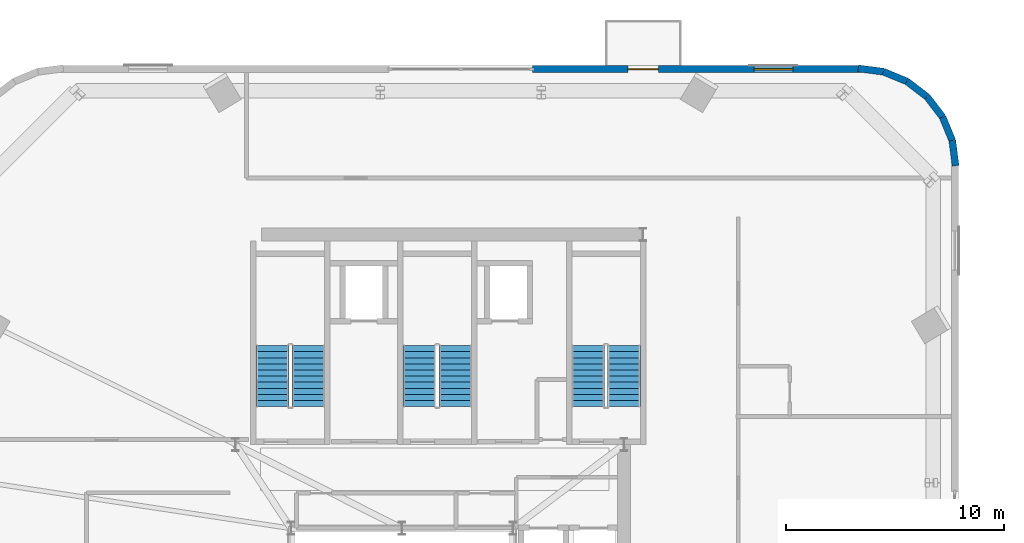
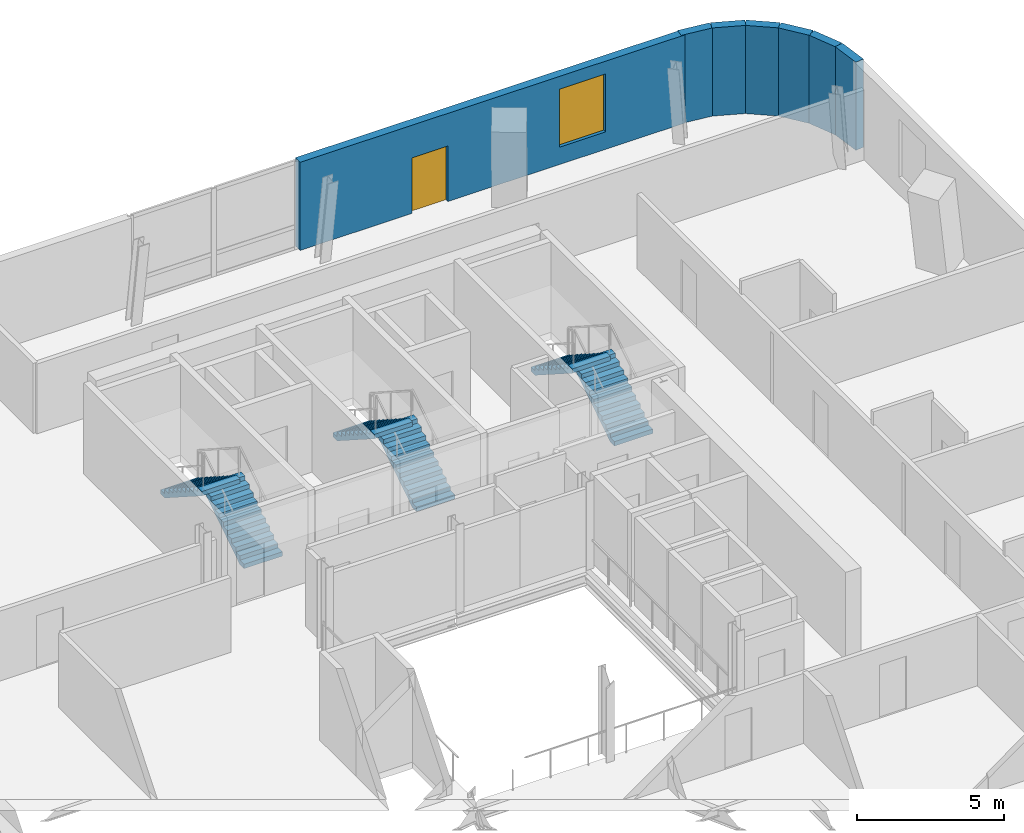
# One storey, part 11 of 15: 7 walls, 6 stair flights, 1 door, 1 window, 2 openings, 3 elements without a shape of their own.
"""IFC4 building model written with IfcOpenShell, lengths in metres."""

from ifc_helpers import new_model, si_unit, direction, frame, frame_2d, origin, place, context, subcontext, project, spatial, polyline, rectangle, outline, extrude, source, transform, mapped, material, layer, layer_set, type_object, element, fill, aggregate, save


model = new_model("IFC4")

# Units and contexts
model_context = context("Model", 3, precision=1e-05, world=origin(), true_north=direction((0.0, 1.0)))
body_context = subcontext(model_context, "Body", "Model", "MODEL_VIEW")
ifc_project = project(units=[si_unit("LENGTHUNIT", "METRE"), si_unit("AREAUNIT", "SQUARE_METRE"), si_unit("VOLUMEUNIT", "CUBIC_METRE"), si_unit("PLANEANGLEUNIT", "RADIAN"), si_unit("MASSUNIT", "GRAM", prefix="KILO")], contexts=[model_context])

# Site, building, storey
site_placement = place(None, origin())
site = spatial("IfcSite", under=ifc_project, at=site_placement, CompositionType="ELEMENT")
building_placement = place(site_placement, origin())
building = spatial("IfcBuilding", under=site, at=building_placement, Name="Vardaveli Station Tower", CompositionType="ELEMENT")
storey_placement = place(building_placement, frame((0.0, 0.0, 258.5)))
storey = spatial("IfcBuildingStorey", under=building, at=storey_placement, Name="L66", CompositionType="ELEMENT", Elevation=258.5)

# Walls
ifc_material_1 = material(Name="Precast concrete C45/55", Category="concrete")
ifc_layer = layer(ifc_material_1, 0.320068359375, Name="Precast concrete C45/55")
ifc_layer_set = layer_set([ifc_layer], Name="Precast concrete C45/55")
wall_type = type_object("IfcWallType", Name="WAL-EXT-STONE-320", PredefinedType="SOLIDWALL", material=ifc_layer_set)
shared_shape_1 = source(origin(), body_context, "Body", "SweptSolid", [
    extrude(rectangle(XDim=1.168701171875, YDim=0.320068359375, at=frame_2d((0.58447265625, 0.0))), origin(), (0.0, 0.0, 1.0), 3.64990234375),
])
for number, where, z_axis, x_axis, name in (
    (1, (61.1396484375, 45.701171875, 0.0), (0.0, 0.0, 1.0), (-0.60812449885, 0.793841668028, 0.0), "EW-L66-CR3-3"),
    (2, (60.428955078125, 46.62890625, 0.0), (0.0, 0.0, 1.0), (-0.793841668028, 0.60812449885, 0.0), "EW-L66-CR3-4"),
):
    element("IfcWall", number, at=place(storey_placement, frame(where, z_axis=z_axis, x_axis=x_axis)), inside=storey, type_object=wall_type, Name=name, PredefinedType="SOLIDWALL", context=body_context, shape_type="MappedRepresentation", body=[
        mapped(shared_shape_1, transform((0.0, 0.0, 0.0), scale=1.0)),
    ])
shared_shape_2 = source(origin(), body_context, "Body", "SweptSolid", [
    extrude(rectangle(XDim=1.170166015625, YDim=0.320068359375, at=frame_2d((0.5849609375, 0.0))), origin(), (0.0, 0.0, 1.0), 3.64990234375),
])
for number, where, z_axis, x_axis, name in (
    (3, (61.7353515625, 43.459716796875, 0.0), (0.0, 0.0, 1.0), (-0.128090485085, 0.991762485493, 0.0), "EW-L66-CR3-1"),
    (4, (58.42041015625, 47.785400390625, 0.0), (0.0, 0.0, 1.0), (-0.991762485493, 0.128090485085, 0.0), "EW-L66-CR3-6"),
):
    element("IfcWall", number, at=place(storey_placement, frame(where, z_axis=z_axis, x_axis=x_axis)), inside=storey, type_object=wall_type, Name=name, PredefinedType="SOLIDWALL", context=body_context, shape_type="MappedRepresentation", body=[
        mapped(shared_shape_2, transform((0.0, 0.0, 0.0), scale=1.0)),
    ])
shared_shape_3 = source(origin(), body_context, "Body", "SweptSolid", [
    extrude(rectangle(XDim=1.169189453125, YDim=0.320068359375, at=frame_2d((0.58447265625, 0.0))), origin(), (0.0, 0.0, 1.0), 3.64990234375),
])
for number, where, z_axis, x_axis, name in (
    (5, (61.58544921875, 44.620361328125, 0.0), (0.0, 0.0, 1.0), (-0.381306385215, 0.924448722534, 0.0), "EW-L66-CR3-2"),
    (6, (59.501220703125, 47.339599609375, 0.0), (0.0, 0.0, 1.0), (-0.924448722534, 0.381306385215, 0.0), "EW-L66-CR3-5"),
):
    element("IfcWall", number, at=place(storey_placement, frame(where, z_axis=z_axis, x_axis=x_axis)), inside=storey, type_object=wall_type, Name=name, PredefinedType="SOLIDWALL", context=body_context, shape_type="MappedRepresentation", body=[
        mapped(shared_shape_3, transform((0.0, 0.0, 0.0), scale=1.0)),
    ])

# Wall, openings, door, window
shared_shape_4 = source(origin(), body_context, "Body", "SweptSolid", [
    extrude(rectangle(XDim=15.06005859375, YDim=0.320068359375, at=frame_2d((7.530029296875, 0.0))), origin(), (0.0, 0.0, 1.0), 3.64990234375),
])
wall_placement = place(storey_placement, frame((57.360107421875, 47.89990234375, 0.0), z_axis=(0.0, 0.0, 1.0), x_axis=(-1.0, 0.0, 0.0)))
wall = element("IfcWall", 7, at=wall_placement, inside=storey, type_object=wall_type, Name="EW-L66-N1", PredefinedType="SOLIDWALL", context=body_context, shape_type="MappedRepresentation", body=[
    mapped(shared_shape_4, transform((0.0, 0.0, 0.0), scale=1.0)),
])
shared_shape_5 = source(origin(), body_context, "Body", "SweptSolid", [
    extrude(rectangle(XDim=1.39990234375, YDim=2.300048828125, at=frame_2d((0.699951171875, 1.14990234375))), frame((0.0, 0.169921875, 0.0), z_axis=(0.0, -1.0, 0.0), x_axis=(1.0, 0.0, 0.0)), (0.0, 0.0, 1.0), 0.340087890625),
])
opening_1_placement = place(wall_placement, frame((9.27783203125, 0.0, 0.0)))
opening_1 = element("IfcOpeningElement", 8, at=opening_1_placement, cuts=wall, Name="Opening D-09", PredefinedType="OPENING", context=body_context, shape_type="MappedRepresentation", body=[
    mapped(shared_shape_5, transform((0.0, 0.0, 0.0), scale=1.0)),
])
shared_shape_6 = source(origin(), body_context, "Body", "SweptSolid", [
    extrude(rectangle(XDim=1.800048828125, YDim=2.39990234375, at=frame_2d((0.89990234375, 1.199951171875))), frame((0.0, 0.169921875, 0.0), z_axis=(0.0, -1.0, 0.0), x_axis=(1.0, 0.0, 0.0)), (0.0, 0.0, 1.0), 0.340087890625),
])
opening_2_placement = place(wall_placement, frame((3.096923828125, 0.0, 0.719970703125)))
opening_2 = element("IfcOpeningElement", 9, at=opening_2_placement, cuts=wall, Name="Opening W-05", PredefinedType="OPENING", context=body_context, shape_type="MappedRepresentation", body=[
    mapped(shared_shape_6, transform((0.0, 0.0, 0.0), scale=1.0)),
])
ifc_material_2 = material(Name="Thermally broken aluminium glass", Category="aluminium")
door_type = type_object("IfcDoorType", Name="DR-LOG-1400x2300", OperationType="DOUBLE_DOOR_SLIDING", PredefinedType="DOOR", material=ifc_material_2)
shared_shape_7 = source(origin(), body_context, "Body", "SweptSolid", [
    extrude(rectangle(XDim=1.39990234375, YDim=2.300048828125, at=frame_2d((0.699951171875, 1.14990234375))), frame((0.0, 0.02490234375, 0.0), z_axis=(0.0, -1.0, 0.0), x_axis=(1.0, 0.0, 0.0)), (0.0, 0.0, 1.0), 0.050048828125),
])
door_placement = place(opening_1_placement, frame((1.39990234375, 0.0, 0.0), z_axis=(0.0, 0.0, 1.0), x_axis=(-1.0, 0.0, 0.0)))
door = element("IfcDoor", 10, at=door_placement, inside=storey, type_object=door_type, Name="DLG-L66-N", OperationType="DOUBLE_DOOR_SLIDING", OverallHeight=2.300048828125, OverallWidth=1.39990234375, PredefinedType="DOOR", context=body_context, shape_type="MappedRepresentation", body=[
    mapped(shared_shape_7, transform((0.0, 0.0, 0.0), scale=1.0)),
])
fill(opening_1, door)
ifc_material_3 = material(Name="Low-E solar-control glass", Category="glass")
window_type = type_object("IfcWindowType", Name="WIN-HIGH-1800x2400", PartitioningType="SINGLE_PANEL", PredefinedType="WINDOW", material=ifc_material_3)
shared_shape_8 = source(origin(), body_context, "Body", "SweptSolid", [
    extrude(rectangle(XDim=1.800048828125, YDim=2.39990234375, at=frame_2d((0.89990234375, 1.199951171875))), frame((0.0, 0.030029296875, 0.0), z_axis=(0.0, -1.0, 0.0), x_axis=(1.0, 0.0, 0.0)), (0.0, 0.0, 1.0), 0.06005859375),
])
window_placement = place(opening_2_placement, origin())
window = element("IfcWindow", 11, at=window_placement, inside=storey, type_object=window_type, Name="WN-L66-N1", OverallHeight=2.39990234375, OverallWidth=1.800048828125, PartitioningType="SINGLE_PANEL", PredefinedType="WINDOW", context=body_context, shape_type="MappedRepresentation", body=[
    mapped(shared_shape_8, transform((0.0, 0.0, 0.0), scale=1.0)),
])
fill(opening_2, window)

# Stair, stair flights
ifc_material_4 = material(Name="Concrete C40/50", Category="concrete")
stair_type = type_object("IfcStairType", Name="STR-CORE-1500", PredefinedType="HALF_TURN_STAIR", material=ifc_material_4)
stair_1_placement = place(storey_placement, origin())
stair_1 = element("IfcStair", 12, at=stair_1_placement, inside=storey, type_object=stair_type, Name="L66 ST-1", PredefinedType="HALF_TURN_STAIR")
stair_flight_type = type_object("IfcStairFlightType", Name="SFL-CORE-1500", PredefinedType="STRAIGHT", material=ifc_material_4)
shared_shape_9 = source(origin(), body_context, "Body", "SweptSolid", [
    extrude(outline(polyline([(0.0, 0.0), (0.0, 0.179443359375), (0.280029296875, 0.179443359375), (0.280029296875, 0.359130859375), (0.56005859375, 0.359130859375), (0.56005859375, 0.53857421875), (0.840087890625, 0.53857421875), (0.840087890625, 0.71826171875), (1.1201171875, 0.71826171875), (1.1201171875, 0.897705078125), (1.39990234375, 0.897705078125), (1.39990234375, 1.077392578125), (1.679931640625, 1.077392578125), (1.679931640625, 1.2568359375), (1.9599609375, 1.2568359375), (1.9599609375, 1.436279296875), (2.239990234375, 1.436279296875), (2.239990234375, 1.615966796875), (2.52001953125, 1.615966796875), (2.52001953125, 1.79541015625), (2.800048828125, 1.79541015625), (2.800048828125, 1.97509765625), (2.800048828125, 1.617431640625), (0.277587890625, 0.0), (0.0, 0.0)])), frame((0.0, 0.75, 0.0), z_axis=(0.0, -1.0, 0.0), x_axis=(1.0, 0.0, 0.0)), (0.0, 0.0, 1.0), 1.5),
])
stair_flight_1_placement = place(storey_placement, frame((32.0, 32.39990234375, 0.0), z_axis=(0.0, 0.0, 1.0), x_axis=(0.0, 1.0, 0.0)))
stair_flight_1 = element("IfcStairFlight", 13, at=stair_flight_1_placement, type_object=stair_flight_type, Name="ST-1 flight 1", NumberOfRisers=11, NumberOfTreads=10, PredefinedType="STRAIGHT", RiserHeight=0.179545455, TreadLength=0.28, context=body_context, shape_type="MappedRepresentation", body=[
    mapped(shared_shape_9, transform((0.0, 0.0, 0.0), scale=1.0)),
])
stair_flight_2_placement = place(storey_placement, frame((30.35009765625, 35.199951171875, 1.97509765625), z_axis=(0.0, 0.0, 1.0), x_axis=(0.0, -1.0, 0.0)))
stair_flight_2 = element("IfcStairFlight", 14, at=stair_flight_2_placement, type_object=stair_flight_type, Name="ST-1 flight 2", NumberOfRisers=11, NumberOfTreads=10, PredefinedType="STRAIGHT", RiserHeight=0.179545455, TreadLength=0.28, context=body_context, shape_type="MappedRepresentation", body=[
    mapped(shared_shape_9, transform((0.0, 0.0, 0.0), scale=1.0)),
])
aggregate(stair_1, [stair_flight_1, stair_flight_2])

stair_2_placement = place(storey_placement, origin())
stair_2 = element("IfcStair", 15, at=stair_2_placement, inside=storey, type_object=stair_type, Name="L66 ST-2", PredefinedType="HALF_TURN_STAIR")
stair_flight_3_placement = place(storey_placement, frame((38.75, 32.39990234375, 0.0), z_axis=(0.0, 0.0, 1.0), x_axis=(0.0, 1.0, 0.0)))
stair_flight_3 = element("IfcStairFlight", 16, at=stair_flight_3_placement, type_object=stair_flight_type, Name="ST-2 flight 1", NumberOfRisers=11, NumberOfTreads=10, PredefinedType="STRAIGHT", RiserHeight=0.179545455, TreadLength=0.28, context=body_context, shape_type="MappedRepresentation", body=[
    mapped(shared_shape_9, transform((0.0, 0.0, 0.0), scale=1.0)),
])
stair_flight_4_placement = place(storey_placement, frame((37.10009765625, 35.199951171875, 1.97509765625), z_axis=(0.0, 0.0, 1.0), x_axis=(0.0, -1.0, 0.0)))
stair_flight_4 = element("IfcStairFlight", 17, at=stair_flight_4_placement, type_object=stair_flight_type, Name="ST-2 flight 2", NumberOfRisers=11, NumberOfTreads=10, PredefinedType="STRAIGHT", RiserHeight=0.179545455, TreadLength=0.28, context=body_context, shape_type="MappedRepresentation", body=[
    mapped(shared_shape_9, transform((0.0, 0.0, 0.0), scale=1.0)),
])
aggregate(stair_2, [stair_flight_3, stair_flight_4])

stair_3_placement = place(storey_placement, origin())
stair_3 = element("IfcStair", 18, at=stair_3_placement, inside=storey, type_object=stair_type, Name="L66 ST-3", PredefinedType="HALF_TURN_STAIR")
stair_flight_5_placement = place(storey_placement, frame((46.5, 32.39990234375, 0.0), z_axis=(0.0, 0.0, 1.0), x_axis=(0.0, 1.0, 0.0)))
stair_flight_5 = element("IfcStairFlight", 19, at=stair_flight_5_placement, type_object=stair_flight_type, Name="ST-3 flight 1", NumberOfRisers=11, NumberOfTreads=10, PredefinedType="STRAIGHT", RiserHeight=0.179545455, TreadLength=0.28, context=body_context, shape_type="MappedRepresentation", body=[
    mapped(shared_shape_9, transform((0.0, 0.0, 0.0), scale=1.0)),
])
stair_flight_6_placement = place(storey_placement, frame((44.85009765625, 35.199951171875, 1.97509765625), z_axis=(0.0, 0.0, 1.0), x_axis=(0.0, -1.0, 0.0)))
stair_flight_6 = element("IfcStairFlight", 20, at=stair_flight_6_placement, type_object=stair_flight_type, Name="ST-3 flight 2", NumberOfRisers=11, NumberOfTreads=10, PredefinedType="STRAIGHT", RiserHeight=0.179545455, TreadLength=0.28, context=body_context, shape_type="MappedRepresentation", body=[
    mapped(shared_shape_9, transform((0.0, 0.0, 0.0), scale=1.0)),
])
aggregate(stair_3, [stair_flight_5, stair_flight_6])

save(model, "model.ifc")
